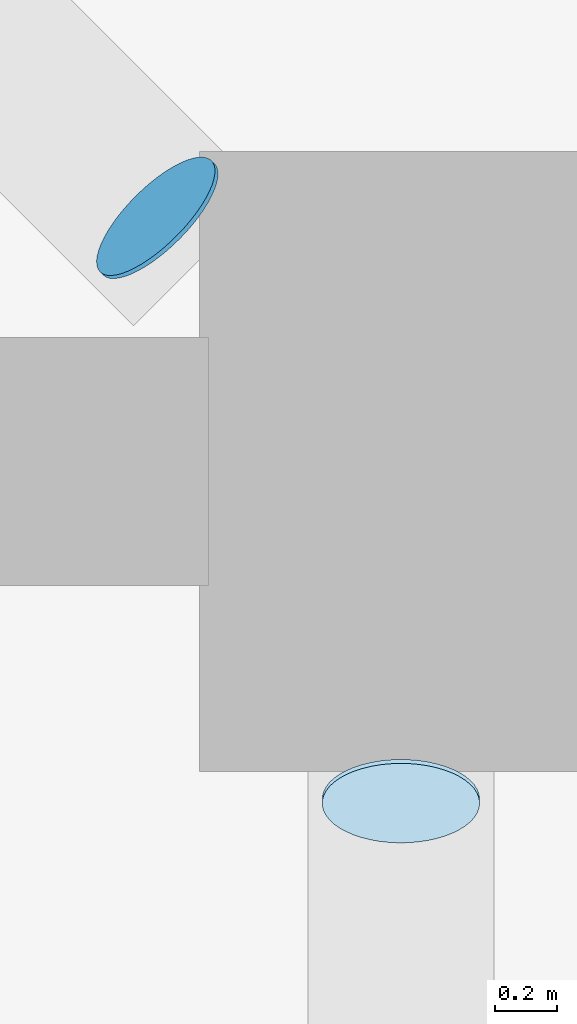
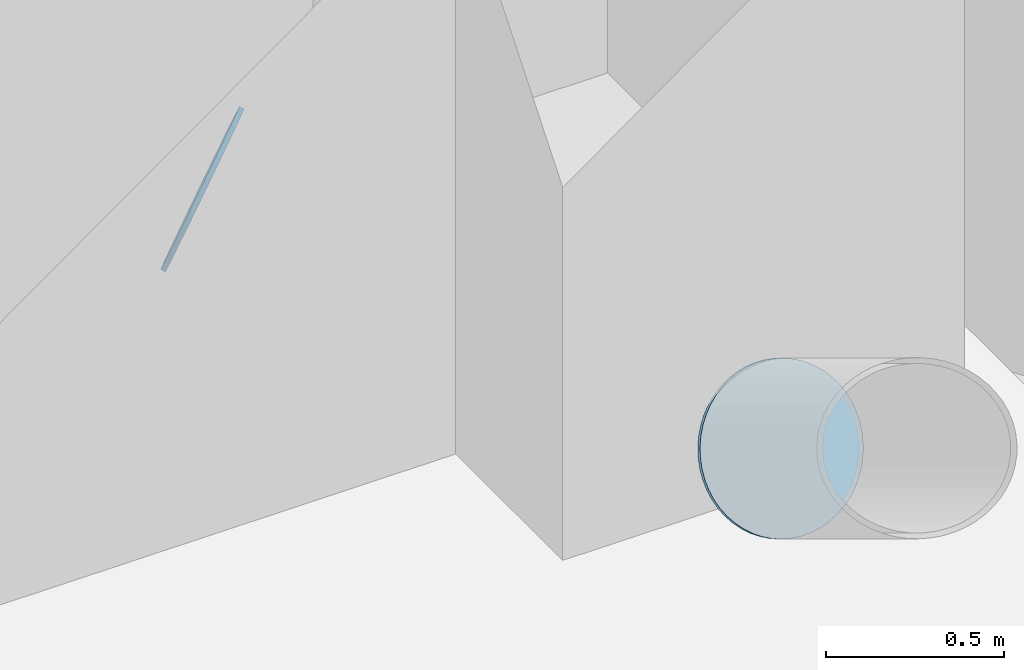
# One storey, part 7 of 18: 2 plates.
"""IFC4 building model written with IfcOpenShell, lengths in metres."""

from ifc_helpers import new_model, si_unit, direction, frame, origin, origin_2d, place, context, subcontext, project, spatial, circle, extrude, material, material_profile, profile_set, type_object, element, save


model = new_model("IFC4")

# Units and contexts
model_context = context("Model", 3, precision=1e-05, world=origin(), true_north=direction((0.0, 1.0)))
body_context = subcontext(model_context, "Body", "Model", "MODEL_VIEW")
ifc_project = project(units=[si_unit("LENGTHUNIT", "METRE"), si_unit("AREAUNIT", "SQUARE_METRE"), si_unit("VOLUMEUNIT", "CUBIC_METRE"), si_unit("PLANEANGLEUNIT", "RADIAN"), si_unit("MASSUNIT", "GRAM", prefix="KILO")], contexts=[model_context])

# Site, building, storey
site_placement = place(None, origin())
site = spatial("IfcSite", under=ifc_project, at=site_placement, CompositionType="ELEMENT")
building_placement = place(site_placement, origin())
building = spatial("IfcBuilding", under=site, at=building_placement, Name="Brevane Broadcast Tower", CompositionType="ELEMENT")
storey_placement = place(building_placement, frame((0.0, 0.0, 86.89990234375)))
storey = spatial("IfcBuildingStorey", under=building, at=storey_placement, Name="L20", CompositionType="ELEMENT", Elevation=86.89990234375)

# Plates
ifc_material = material(Name="Steel S355", Category="steel")
ifc_material_profile = material_profile(ifc_material, circle(Radius=0.25390625, at=origin_2d()), Name="PL 508 DIA x 15")
ifc_profile_set = profile_set([ifc_material_profile], Name="Steel S355")
plate_type = type_object("IfcPlateType", Name="STEEL END CAP PLATE 508 DIA x 15", PredefinedType="SHEET", material=ifc_profile_set)
for number, where, z_axis, x_axis, name in (
    (1, (67.199951171875, 15.7109375, 0.20947265625), (0.0, -0.863187603129, 0.504883315038), (1.0, 0.0, 0.0), "End cap plate EC1-9"),
    (2, (66.41943359375, 17.58056640625, 0.23193359375), (-0.659022406319, 0.659022406319, 0.362462323475), (-0.707106781187, -0.707106781187, 0.0), "End cap plate EC1-11"),
):
    element("IfcPlate", number, at=place(storey_placement, frame(where, z_axis=z_axis, x_axis=x_axis)), inside=storey, type_object=plate_type, Name=name, PredefinedType="SHEET", context=body_context, shape_type="SweptSolid", body=[
        extrude(circle(Radius=0.25390625, at=origin_2d()), origin(), (0.0, 0.0, 1.0), 0.014892578125),
    ])

save(model, "model.ifc")
